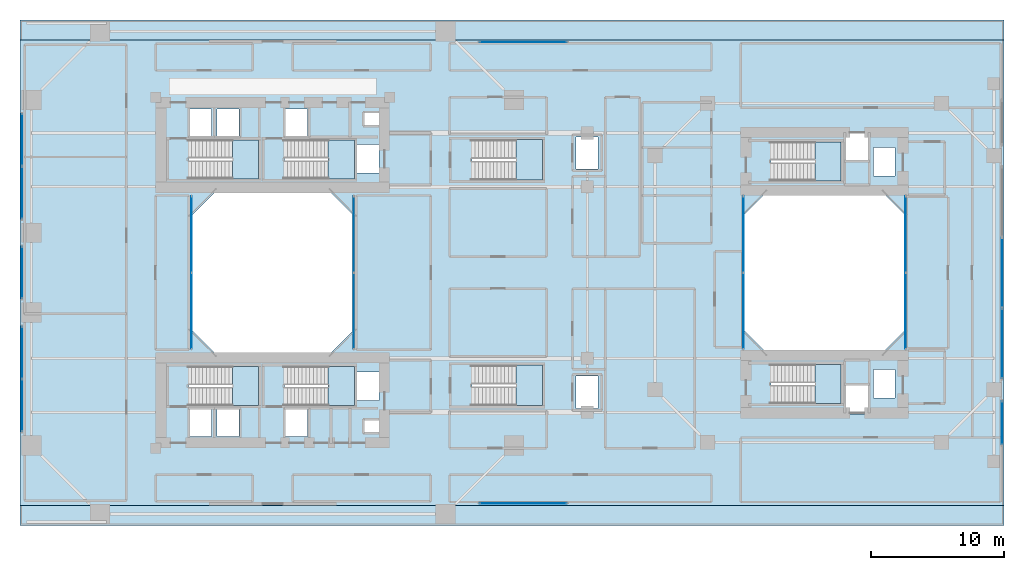
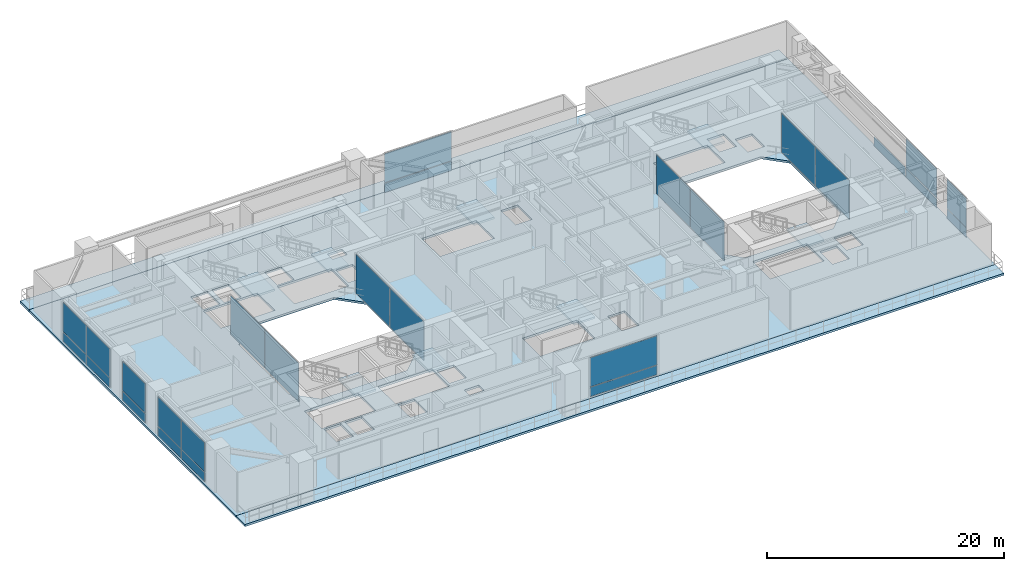
# One storey, part 10 of 20: 27 plates, 11 slabs, 19 elements without a shape of their own.
"""IFC4 building model written with IfcOpenShell, lengths in metres."""

import ifcopenshell
import ifcopenshell.guid

model = None  # the IFC model being written
_history = None  # IfcOwnerHistory: only IFC2X3 demands one
_inside = {}  # id of a spatial element -> (the spatial element, [elements in it])
_under = {}  # id of a project, library or spatial element -> (it, [spatial elements below it])
_declared = {}  # id of a project -> (the project, [libraries it declares])
_typed = {}  # id of a type object -> (the type object, [elements of that type])
_made_of = {}  # id of a material, layer set ... -> (it, [elements and type objects made of it])


def new_model(schema):
    """Start an empty IFC model of exactly this schema.

    Asked for "IFC4X3", IfcOpenShell would pick the latest addendum, in which some entities
    have other attributes; the version numbers below select the first issue.
    IFC2X3 requires an IfcOwnerHistory on every rooted entity: one is made here for all.
    """
    global model, _history
    if schema == "IFC4X3":
        model = ifcopenshell.file(schema_version=(4, 3, 0, 0))
    else:
        model = ifcopenshell.file(schema=schema)
    _inside.clear()
    _under.clear()
    _declared.clear()
    _typed.clear()
    _made_of.clear()
    _history = None
    if model.schema == "IFC2X3":
        org = make("IfcOrganization", Name="unknown")
        user = make(
            "IfcPersonAndOrganization",
            ThePerson=make("IfcPerson", FamilyName="unknown"),
            TheOrganization=org,
        )
        app = make(
            "IfcApplication",
            ApplicationDeveloper=org,
            Version="unknown",
            ApplicationFullName="unknown",
            ApplicationIdentifier="unknown",
        )
        _history = make(
            "IfcOwnerHistory",
            OwningUser=user,
            OwningApplication=app,
            ChangeAction="ADDED",
            CreationDate=0,
        )
    return model


def make(cls, **values):
    """One entity of the class cls with the attributes given. An attribute that is None is left unset."""
    return model.create_entity(
        cls, **{name: value for name, value in values.items() if value is not None}
    )


def rooted(cls, **values):
    """An entity with a GlobalId (a new one), such as an element, a storey or a relation."""
    return make(cls, GlobalId=ifcopenshell.guid.new(), OwnerHistory=_history, **values)


def si_unit(unit_type, name, prefix=None):
    """IfcSIUnit, for example si_unit("LENGTHUNIT", "METRE", prefix="MILLI")."""
    return make("IfcSIUnit", UnitType=unit_type, Prefix=prefix, Name=name)


def assignment(units):
    """IfcUnitAssignment: the units of a project."""
    return None if units is None else make("IfcUnitAssignment", Units=units)


def point(xyz):
    """IfcCartesianPoint."""
    return None if xyz is None else make("IfcCartesianPoint", Coordinates=xyz)


def direction(xyz):
    """IfcDirection."""
    return None if xyz is None else make("IfcDirection", DirectionRatios=xyz)


def frame(location, z_axis=None, x_axis=None):
    """IfcAxis2Placement3D, a coordinate frame: its origin and axes. An axis left out is left unset."""
    return make(
        "IfcAxis2Placement3D",
        Location=point(location),
        Axis=direction(z_axis),
        RefDirection=direction(x_axis),
    )


def frame_2d(location, x_axis=None):
    """IfcAxis2Placement2D, a coordinate frame in the plane: its origin and x axis."""
    return make(
        "IfcAxis2Placement2D", Location=point(location), RefDirection=direction(x_axis)
    )


def origin():
    """The frame at (0, 0, 0) with its axes left unset."""
    return frame((0.0, 0.0, 0.0))


def origin_2d():
    """The frame at (0, 0) in the plane with its x axis left unset."""
    return frame_2d((0.0, 0.0))


def place(relative_to, where):
    """IfcLocalPlacement: puts the frame where relative to a parent placement (None: the world)."""
    return make(
        "IfcLocalPlacement", PlacementRelTo=relative_to, RelativePlacement=where
    )


def context(
    kind, dimensions, precision=None, world=None, true_north=None, identifier=None
):
    """IfcGeometricRepresentationContext, for example the 3D "Model" context."""
    return make(
        "IfcGeometricRepresentationContext",
        ContextIdentifier=identifier,
        ContextType=kind,
        CoordinateSpaceDimension=dimensions,
        Precision=precision,
        WorldCoordinateSystem=world,
        TrueNorth=true_north,
    )


def subcontext(parent, identifier, kind, view, scale=None):
    """IfcGeometricRepresentationSubContext, for example "Body" below "Model"."""
    return make(
        "IfcGeometricRepresentationSubContext",
        ContextIdentifier=identifier,
        ContextType=kind,
        ParentContext=parent,
        TargetScale=scale,
        TargetView=view,
    )


def project(units=None, contexts=None):
    """IfcProject with its units and contexts."""
    return rooted(
        "IfcProject",
        Name="project",
        RepresentationContexts=contexts,
        UnitsInContext=assignment(units),
    )


def spatial(cls, under=None, at=None, **own):
    """A site, building, storey or space (cls), placed at a placement, below another one or the project."""
    s = rooted(cls, ObjectPlacement=at, **own)
    if under is not None:
        _under.setdefault(under.id(), (under, []))[1].append(s)
    return s


def polyline(points):
    """IfcPolyline through the points."""
    return make("IfcPolyline", Points=[point(p) for p in points])


def profile(cls, at=None, kind="AREA", **sizes):
    """A parametric profile (cls). Its sizes go by their IFC names, for example OverallWidth=200.0."""
    return make(cls, ProfileType=kind, Position=at, **sizes)


def rectangle(**sizes):
    """IfcRectangleProfileDef."""
    return profile("IfcRectangleProfileDef", **sizes)


def outline(outer, holes=None, kind="AREA"):
    """IfcArbitraryClosedProfileDef: a profile drawn as a closed curve; with holes, ...WithVoids."""
    if holes is None:
        return make("IfcArbitraryClosedProfileDef", ProfileType=kind, OuterCurve=outer)
    return make(
        "IfcArbitraryProfileDefWithVoids",
        ProfileType=kind,
        OuterCurve=outer,
        InnerCurves=holes,
    )


def extrude(swept, where, along, depth):
    """IfcExtrudedAreaSolid: the profile swept, set in the frame where, extruded along a direction by depth."""
    return make(
        "IfcExtrudedAreaSolid",
        SweptArea=swept,
        Position=where,
        ExtrudedDirection=direction(along),
        Depth=depth,
    )


def shape(context_of_items, identifier, shape_type, items):
    """IfcShapeRepresentation: the items that make up one representation, for example the "Body"."""
    return make(
        "IfcShapeRepresentation",
        ContextOfItems=context_of_items,
        RepresentationIdentifier=identifier,
        RepresentationType=shape_type,
        Items=items,
    )


def source(mapping_origin, context_of_items, identifier, shape_type, items):
    """IfcRepresentationMap: a shape defined once, which mapped items show again and again."""
    return make(
        "IfcRepresentationMap",
        MappingOrigin=mapping_origin,
        MappedRepresentation=shape(context_of_items, identifier, shape_type, items),
    )


def transform(
    local_origin,
    x_axis=None,
    y_axis=None,
    z_axis=None,
    scale=None,
    scale2=None,
    scale3=None,
    uniform=True,
):
    """IfcCartesianTransformationOperator3D, or its non-uniform kind. x_axis, y_axis, z_axis: its Axis1, 2, 3."""
    if uniform:
        return make(
            "IfcCartesianTransformationOperator3D",
            Axis1=direction(x_axis),
            Axis2=direction(y_axis),
            LocalOrigin=point(local_origin),
            Scale=scale,
            Axis3=direction(z_axis),
        )
    return make(
        "IfcCartesianTransformationOperator3DnonUniform",
        Axis1=direction(x_axis),
        Axis2=direction(y_axis),
        LocalOrigin=point(local_origin),
        Scale=scale,
        Axis3=direction(z_axis),
        Scale2=scale2,
        Scale3=scale3,
    )


def mapped(mapping_source, mapping_target):
    """IfcMappedItem: shows the shape of a source again, moved by a transform."""
    return make(
        "IfcMappedItem", MappingSource=mapping_source, MappingTarget=mapping_target
    )


def material(Name=None, Category=None):
    """IfcMaterial."""
    return make("IfcMaterial", Name=Name, Category=Category)


def layer(
    of_material, thickness, ventilated=None, Name=None, Category=None, Priority=None
):
    """IfcMaterialLayer: one layer of a wall or slab, of a material (None: an air gap)."""
    return make(
        "IfcMaterialLayer",
        Material=of_material,
        LayerThickness=thickness,
        IsVentilated=ventilated,
        Name=Name,
        Category=Category,
        Priority=Priority,
    )


def layer_set(layers, Name=None):
    """IfcMaterialLayerSet."""
    return make("IfcMaterialLayerSet", MaterialLayers=layers, LayerSetName=Name)


def made_of(thing, what):
    """Note that an element or type object is made of a material, layer set ...; save() writes the relation."""
    if what is not None:
        _made_of.setdefault(what.id(), (what, []))[1].append(thing)
    return thing


def type_object(cls, material=None, **own):
    """A type object (cls), such as IfcWallType, which elements share."""
    return made_of(rooted(cls, **own), material)


def element(
    cls,
    number,
    at=None,
    inside=None,
    cuts=None,
    type_object=None,
    material=None,
    context=None,
    identifier="Body",
    shape_type=None,
    held_by="IfcProductDefinitionShape",
    body=None,
    shapes=None,
    **own,
):
    """One element of the class cls, such as IfcWall. Its Tag is "e" and its number.

    at: its placement. inside: the storey or other place that contains it. cuts: it is an
    opening in that element (IfcRelVoidsElement). A single representation is given by context,
    identifier, shape_type and body (its items); several are given by shapes. held_by: the class
    of the entity that holds the representations. save() writes the other relations.
    """
    e = rooted(cls, Tag="e%d" % number, ObjectPlacement=at, **own)
    if body is not None:
        shapes = [shape(context, identifier, shape_type, body)]
    if shapes is not None:
        e.Representation = make(held_by, Representations=shapes)
    if inside is not None:
        _inside.setdefault(inside.id(), (inside, []))[1].append(e)
    if cuts is not None:
        rooted(
            "IfcRelVoidsElement", RelatingBuildingElement=cuts, RelatedOpeningElement=e
        )
    if type_object is not None:
        _typed.setdefault(type_object.id(), (type_object, []))[1].append(e)
    return made_of(e, material)


def aggregate(whole, parts):
    """IfcRelAggregates: a whole, such as a stair, and the parts it consists of."""
    return rooted("IfcRelAggregates", RelatingObject=whole, RelatedObjects=parts)


def save(model, path):
    """Write the relations noted so far, then the file.

    IfcRelAggregates (storeys below a building ...), IfcRelContainedInSpatialStructure (elements
    in a storey), IfcRelDefinesByType, IfcRelAssociatesMaterial and IfcRelDeclares: one each for
    every whole, place, type object, material and project.
    """
    for whole, parts in _under.values():
        aggregate(whole, parts)
    for where, things in _inside.values():
        rooted(
            "IfcRelContainedInSpatialStructure",
            RelatedElements=things,
            RelatingStructure=where,
        )
    for kind, things in _typed.values():
        rooted("IfcRelDefinesByType", RelatedObjects=things, RelatingType=kind)
    for what, things in _made_of.values():
        rooted("IfcRelAssociatesMaterial", RelatedObjects=things, RelatingMaterial=what)
    for by, libraries in _declared.values():
        rooted("IfcRelDeclares", RelatingContext=by, RelatedDefinitions=libraries)
    model.write(path)


model = new_model("IFC4")

# Units and contexts
model_context = context("Model", 3, precision=1e-05, world=origin(), true_north=direction((0.0, 1.0)))
body_context = subcontext(model_context, "Body", "Model", "MODEL_VIEW")
ifc_project = project(units=[si_unit("LENGTHUNIT", "METRE"), si_unit("AREAUNIT", "SQUARE_METRE"), si_unit("VOLUMEUNIT", "CUBIC_METRE"), si_unit("PLANEANGLEUNIT", "RADIAN"), si_unit("MASSUNIT", "GRAM", prefix="KILO"), si_unit("THERMODYNAMICTEMPERATUREUNIT", "KELVIN"), si_unit("POWERUNIT", "WATT")], contexts=[model_context])

# Site, building, storey
site_placement = place(None, origin())
site = spatial("IfcSite", under=ifc_project, at=site_placement, CompositionType="ELEMENT")
building_placement = place(site_placement, origin())
building = spatial("IfcBuilding", under=site, at=building_placement, Name="Qiaomeng Ring Towers", CompositionType="ELEMENT")
storey_placement = place(building_placement, frame((0.0, 0.0, 13.800048828125)))
storey = spatial("IfcBuildingStorey", under=building, at=storey_placement, Name="L03", CompositionType="ELEMENT", Elevation=13.800048828125)

# Slab
ifc_material_1 = material(Name="Concrete C40", Category="concrete")
ifc_layer_1 = layer(ifc_material_1, 0.219970703125, Name="Concrete C40")
ifc_layer_set_1 = layer_set([ifc_layer_1], Name="Concrete C40")
slab_type_1 = type_object("IfcSlabType", Name="STR-SL-220", PredefinedType="FLOOR", material=ifc_layer_set_1)
slab_1_placement = place(storey_placement, frame((0.0, 0.0, -0.219970703125)))
element("IfcSlab", 1, at=slab_1_placement, inside=storey, type_object=slab_type_1, Name="L03 Structural Floor Slab", PredefinedType="FLOOR", context=body_context, shape_type="SweptSolid", body=[
    extrude(outline(polyline([(0.0, 5.5), (74.0, 5.5), (74.0, 40.5), (0.0, 40.5), (0.0, 5.5)]), holes=[polyline([(12.780029296875, 12.820068359375), (14.419921875, 12.820068359375), (14.419921875, 10.679931640625), (12.780029296875, 10.679931640625), (12.780029296875, 12.820068359375)]), polyline([(16.469970703125, 12.820068359375), (16.469970703125, 10.679931640625), (14.830078125, 10.679931640625), (14.830078125, 12.820068359375), (16.469970703125, 12.820068359375)]), polyline([(21.6201171875, 12.820068359375), (21.6201171875, 10.679931640625), (19.97998046875, 10.679931640625), (19.97998046875, 12.820068359375), (21.6201171875, 12.820068359375)]), polyline([(27.0, 15.52001953125), (27.0, 13.3798828125), (25.360107421875, 13.3798828125), (25.360107421875, 15.52001953125), (27.0, 15.52001953125)]), polyline([(17.949951171875, 15.949951171875), (17.949951171875, 13.010009765625), (12.679931640625, 13.010009765625), (12.679931640625, 15.949951171875), (17.949951171875, 15.949951171875)]), polyline([(25.14990234375, 15.949951171875), (25.14990234375, 13.010009765625), (19.8798828125, 13.010009765625), (19.8798828125, 15.949951171875), (25.14990234375, 15.949951171875)]), polyline([(25.199951171875, 18.800048828125), (23.199951171875, 16.800048828125), (14.800048828125, 16.800048828125), (12.800048828125, 18.800048828125), (12.800048828125, 27.199951171875), (14.800048828125, 29.199951171875), (23.199951171875, 29.199951171875), (25.199951171875, 27.199951171875), (25.199951171875, 18.800048828125)]), polyline([(12.679931640625, 32.989990234375), (17.949951171875, 32.989990234375), (17.949951171875, 30.050048828125), (12.679931640625, 30.050048828125), (12.679931640625, 32.989990234375)]), polyline([(25.14990234375, 32.989990234375), (25.14990234375, 30.050048828125), (19.8798828125, 30.050048828125), (19.8798828125, 32.989990234375), (25.14990234375, 32.989990234375)]), polyline([(27.0, 32.6201171875), (27.0, 30.47998046875), (25.360107421875, 30.47998046875), (25.360107421875, 32.6201171875), (27.0, 32.6201171875)]), polyline([(14.419921875, 35.320068359375), (14.419921875, 33.179931640625), (12.780029296875, 33.179931640625), (12.780029296875, 35.320068359375), (14.419921875, 35.320068359375)]), polyline([(16.469970703125, 35.320068359375), (16.469970703125, 33.179931640625), (14.830078125, 33.179931640625), (14.830078125, 35.320068359375), (16.469970703125, 35.320068359375)]), polyline([(21.6201171875, 35.320068359375), (21.6201171875, 33.179931640625), (19.97998046875, 33.179931640625), (19.97998046875, 35.320068359375), (21.6201171875, 35.320068359375)]), polyline([(27.360107421875, 35.0), (27.360107421875, 34.10009765625), (25.919921875, 34.10009765625), (25.919921875, 35.0), (27.360107421875, 35.0)]), polyline([(25.919921875, 11.89990234375), (27.360107421875, 11.89990234375), (27.360107421875, 11.0), (25.919921875, 11.0), (25.919921875, 11.89990234375)]), polyline([(63.77001953125, 14.52001953125), (63.77001953125, 12.3798828125), (62.1298828125, 12.3798828125), (62.1298828125, 14.52001953125), (63.77001953125, 14.52001953125)]), polyline([(43.469970703125, 15.219970703125), (43.469970703125, 12.780029296875), (41.830078125, 12.780029296875), (41.830078125, 15.219970703125), (43.469970703125, 15.219970703125)]), polyline([(39.300048828125, 16.0400390625), (39.300048828125, 13.0), (33.989990234375, 13.0), (33.989990234375, 16.0400390625), (39.300048828125, 16.0400390625)]), polyline([(61.75, 16.10009765625), (61.75, 13.159912109375), (56.47998046875, 13.159912109375), (56.47998046875, 16.10009765625), (61.75, 16.10009765625)]), polyline([(65.820068359375, 15.719970703125), (65.820068359375, 13.580078125), (64.179931640625, 13.580078125), (64.179931640625, 15.719970703125), (65.820068359375, 15.719970703125)]), polyline([(66.60009765625, 27.300048828125), (66.60009765625, 18.699951171875), (64.800048828125, 16.89990234375), (56.199951171875, 16.89990234375), (54.39990234375, 18.699951171875), (54.39990234375, 27.300048828125), (56.199951171875, 29.10009765625), (64.800048828125, 29.10009765625), (66.60009765625, 27.300048828125)]), polyline([(65.820068359375, 32.419921875), (65.820068359375, 30.280029296875), (64.179931640625, 30.280029296875), (64.179931640625, 32.419921875), (65.820068359375, 32.419921875)]), polyline([(61.75, 32.840087890625), (61.75, 29.89990234375), (56.47998046875, 29.89990234375), (56.47998046875, 32.840087890625), (61.75, 32.840087890625)]), polyline([(39.300048828125, 33.0), (39.300048828125, 29.9599609375), (33.989990234375, 29.9599609375), (33.989990234375, 33.0), (39.300048828125, 33.0)]), polyline([(43.469970703125, 33.219970703125), (43.469970703125, 30.780029296875), (41.830078125, 30.780029296875), (41.830078125, 33.219970703125), (43.469970703125, 33.219970703125)]), polyline([(63.77001953125, 33.6201171875), (63.77001953125, 31.47998046875), (62.1298828125, 31.47998046875), (62.1298828125, 33.6201171875), (63.77001953125, 33.6201171875)])]), origin(), (0.0, 0.0, 1.0), 0.219970703125),
])

# Stair, slab
ifc_material_2 = material(Name="Precast concrete C40", Category="concrete")
stair_type_1 = type_object("IfcStairType", Name="ARC-ST-440", PredefinedType="HALF_TURN_STAIR", material=ifc_material_2)
stair_1_placement = place(storey_placement, origin())
stair_1 = element("IfcStair", 2, at=stair_1_placement, inside=storey, type_object=stair_type_1, Name="L03 Tower 1 North Stair 1", PredefinedType="HALF_TURN_STAIR")
ifc_layer_2 = layer(ifc_material_1, 0.199951171875, Name="Concrete C40")
ifc_layer_set_2 = layer_set([ifc_layer_2], Name="Concrete C40")
slab_type_2 = type_object("IfcSlabType", Name="STR-SL-LANDING", PredefinedType="LANDING", material=ifc_layer_set_2)
slab_2_placement = place(storey_placement, frame((0.0, 0.0, 2.0)))
slab_2 = element("IfcSlab", 3, at=slab_2_placement, type_object=slab_type_2, Name="ST1 landing 1", PredefinedType="LANDING", context=body_context, shape_type="SweptSolid", body=[
    extrude(outline(polyline([(15.97998046875, 30.050048828125), (17.949951171875, 30.050048828125), (17.949951171875, 32.989990234375), (15.97998046875, 32.989990234375), (15.97998046875, 30.050048828125)])), origin(), (0.0, 0.0, 1.0), 0.199951171875),
])
aggregate(stair_1, [slab_2])

stair_2_placement = place(storey_placement, origin())
stair_2 = element("IfcStair", 4, at=stair_2_placement, inside=storey, type_object=stair_type_1, Name="L03 Tower 1 North Stair 2", PredefinedType="HALF_TURN_STAIR")
slab_3_placement = place(storey_placement, frame((0.0, 0.0, 2.0)))
slab_3 = element("IfcSlab", 5, at=slab_3_placement, type_object=slab_type_2, Name="ST2 landing 1", PredefinedType="LANDING", context=body_context, shape_type="SweptSolid", body=[
    extrude(outline(polyline([(23.179931640625, 30.050048828125), (25.14990234375, 30.050048828125), (25.14990234375, 32.989990234375), (23.179931640625, 32.989990234375), (23.179931640625, 30.050048828125)])), origin(), (0.0, 0.0, 1.0), 0.199951171875),
])
aggregate(stair_2, [slab_3])

stair_3_placement = place(storey_placement, origin())
stair_3 = element("IfcStair", 6, at=stair_3_placement, inside=storey, type_object=stair_type_1, Name="L03 Tower 1 South Stair 3", PredefinedType="HALF_TURN_STAIR")
slab_4_placement = place(storey_placement, frame((0.0, 0.0, 2.0)))
slab_4 = element("IfcSlab", 7, at=slab_4_placement, type_object=slab_type_2, Name="ST3 landing 1", PredefinedType="LANDING", context=body_context, shape_type="SweptSolid", body=[
    extrude(outline(polyline([(15.97998046875, 13.010009765625), (17.949951171875, 13.010009765625), (17.949951171875, 15.949951171875), (15.97998046875, 15.949951171875), (15.97998046875, 13.010009765625)])), origin(), (0.0, 0.0, 1.0), 0.199951171875),
])
aggregate(stair_3, [slab_4])

stair_4_placement = place(storey_placement, origin())
stair_4 = element("IfcStair", 8, at=stair_4_placement, inside=storey, type_object=stair_type_1, Name="L03 Tower 1 South Stair 4", PredefinedType="HALF_TURN_STAIR")
slab_5_placement = place(storey_placement, frame((0.0, 0.0, 2.0)))
slab_5 = element("IfcSlab", 9, at=slab_5_placement, type_object=slab_type_2, Name="ST4 landing 1", PredefinedType="LANDING", context=body_context, shape_type="SweptSolid", body=[
    extrude(outline(polyline([(23.179931640625, 13.010009765625), (25.14990234375, 13.010009765625), (25.14990234375, 15.949951171875), (23.179931640625, 15.949951171875), (23.179931640625, 13.010009765625)])), origin(), (0.0, 0.0, 1.0), 0.199951171875),
])
aggregate(stair_4, [slab_5])

stair_5_placement = place(storey_placement, origin())
stair_5 = element("IfcStair", 10, at=stair_5_placement, inside=storey, type_object=stair_type_1, Name="L03 Companion North Stair 5", PredefinedType="HALF_TURN_STAIR")
slab_6_placement = place(storey_placement, frame((0.0, 0.0, 2.0)))
slab_6 = element("IfcSlab", 11, at=slab_6_placement, type_object=slab_type_2, Name="ST5 landing 1", PredefinedType="LANDING", context=body_context, shape_type="SweptSolid", body=[
    extrude(outline(polyline([(59.780029296875, 29.89990234375), (61.75, 29.89990234375), (61.75, 32.840087890625), (59.780029296875, 32.840087890625), (59.780029296875, 29.89990234375)])), origin(), (0.0, 0.0, 1.0), 0.199951171875),
])
aggregate(stair_5, [slab_6])

stair_6_placement = place(storey_placement, origin())
stair_6 = element("IfcStair", 12, at=stair_6_placement, inside=storey, type_object=stair_type_1, Name="L03 Companion South Stair 6", PredefinedType="HALF_TURN_STAIR")
slab_7_placement = place(storey_placement, frame((0.0, 0.0, 2.0)))
slab_7 = element("IfcSlab", 13, at=slab_7_placement, type_object=slab_type_2, Name="ST6 landing 1", PredefinedType="LANDING", context=body_context, shape_type="SweptSolid", body=[
    extrude(outline(polyline([(59.780029296875, 13.159912109375), (61.75, 13.159912109375), (61.75, 16.10009765625), (59.780029296875, 16.10009765625), (59.780029296875, 13.159912109375)])), origin(), (0.0, 0.0, 1.0), 0.199951171875),
])
aggregate(stair_6, [slab_7])

stair_type_2 = type_object("IfcStairType", Name="ARC-ST-POD", PredefinedType="HALF_TURN_STAIR", material=ifc_material_2)
stair_7_placement = place(storey_placement, origin())
stair_7 = element("IfcStair", 14, at=stair_7_placement, inside=storey, type_object=stair_type_2, Name="L03 Podium Clinic North Stair 7", PredefinedType="HALF_TURN_STAIR")
slab_8_placement = place(storey_placement, frame((0.0, 0.0, 2.0)))
slab_8 = element("IfcSlab", 15, at=slab_8_placement, type_object=slab_type_2, Name="ST7 landing 1", PredefinedType="LANDING", context=body_context, shape_type="SweptSolid", body=[
    extrude(outline(polyline([(37.2900390625, 29.9599609375), (39.300048828125, 29.9599609375), (39.300048828125, 33.0), (37.2900390625, 33.0), (37.2900390625, 29.9599609375)])), origin(), (0.0, 0.0, 1.0), 0.199951171875),
])
aggregate(stair_7, [slab_8])

stair_8_placement = place(storey_placement, origin())
stair_8 = element("IfcStair", 16, at=stair_8_placement, inside=storey, type_object=stair_type_2, Name="L03 Podium Clinic South Stair 8", PredefinedType="HALF_TURN_STAIR")
slab_9_placement = place(storey_placement, frame((0.0, 0.0, 2.0)))
slab_9 = element("IfcSlab", 17, at=slab_9_placement, type_object=slab_type_2, Name="ST8 landing 1", PredefinedType="LANDING", context=body_context, shape_type="SweptSolid", body=[
    extrude(outline(polyline([(37.2900390625, 13.0), (39.300048828125, 13.0), (39.300048828125, 16.0400390625), (37.2900390625, 16.0400390625), (37.2900390625, 13.0)])), origin(), (0.0, 0.0, 1.0), 0.199951171875),
])
aggregate(stair_8, [slab_9])

# Slabs
ifc_layer_3 = layer(ifc_material_1, 0.219970703125, Name="Concrete C40")
ifc_layer_set_3 = layer_set([ifc_layer_3], Name="Concrete C40")
slab_type_3 = type_object("IfcSlabType", Name="STR-SL-TERR220", PredefinedType="FLOOR", material=ifc_layer_set_3)
slab_10_placement = place(storey_placement, frame((0.0, 0.0, -0.219970703125)))
element("IfcSlab", 18, at=slab_10_placement, inside=storey, type_object=slab_type_3, Name="L03 South Planted Podium Roof Terrace Slab", PredefinedType="FLOOR", context=body_context, shape_type="SweptSolid", body=[
    extrude(outline(polyline([(0.0, 4.0), (74.0, 4.0), (74.0, 5.5), (0.0, 5.5), (0.0, 4.0)])), origin(), (0.0, 0.0, 1.0), 0.219970703125),
])
slab_11_placement = place(storey_placement, frame((0.0, 0.0, -0.219970703125)))
element("IfcSlab", 19, at=slab_11_placement, inside=storey, type_object=slab_type_3, Name="L03 North Planted Podium Roof Terrace Slab", PredefinedType="FLOOR", context=body_context, shape_type="SweptSolid", body=[
    extrude(outline(polyline([(0.0, 40.5), (74.0, 40.5), (74.0, 42.0), (0.0, 42.0), (0.0, 40.5)])), origin(), (0.0, 0.0, 1.0), 0.219970703125),
])

# Curtain wall, plates
ifc_material_3 = material(Name="Fluorocarbon dark-grey aluminium", Category="aluminium")
ifc_layer_4 = layer(ifc_material_3, 0.179931640625, Name="Fluorocarbon dark-grey aluminium")
ifc_layer_set_4 = layer_set([ifc_layer_4], Name="Fluorocarbon dark-grey aluminium")
curtain_wall_type_1 = type_object("IfcCurtainWallType", Name="ARC-CW-1", PredefinedType="NOTDEFINED", material=ifc_layer_set_4)
curtain_wall_1_placement = place(storey_placement, origin())
curtain_wall_1 = element("IfcCurtainWall", 20, at=curtain_wall_1_placement, inside=storey, type_object=curtain_wall_type_1, Name="L03 Curtain Wall CW1", PredefinedType="NOTDEFINED")
ifc_material_4 = material(Name="Low-E pale-green laminated safety glass", Category="glass")
ifc_layer_5 = layer(ifc_material_4, 0.031982421875, Name="Low-E pale-green laminated safety glass")
ifc_layer_set_5 = layer_set([ifc_layer_5], Name="Low-E pale-green laminated safety glass")
plate_type_1 = type_object("IfcPlateType", Name="ARC-CWP-GREEN", PredefinedType="CURTAIN_PANEL", material=ifc_layer_set_5)
shared_shape_1 = source(origin(), body_context, "Body", "SweptSolid", [
    extrude(rectangle(XDim=3.889892578125, YDim=0.031982421875, at=origin_2d()), origin(), (0.0, 0.0, 1.0), 0.945068359375),
])
plate_1_placement = place(storey_placement, frame((0.14990234375, 13.014892578125, 0.06982421875), z_axis=(0.0, 0.0, 1.0), x_axis=(0.0, 1.0, 0.0)))
plate_1 = element("IfcPlate", 21, at=plate_1_placement, type_object=plate_type_1, Name="CW1 panel 1.1", PredefinedType="CURTAIN_PANEL", context=body_context, shape_type="MappedRepresentation", body=[
    mapped(shared_shape_1, transform((0.0, 0.0, 0.0), x_axis=(1.0, 0.0, 0.0), y_axis=(0.0, 1.0, 0.0), z_axis=(0.0, 0.0, 1.0), scale=1.0)),
])
plate_2_placement = place(storey_placement, frame((0.14990234375, 16.985107421875, 0.06982421875), z_axis=(0.0, 0.0, 1.0), x_axis=(0.0, 1.0, 0.0)))
plate_2 = element("IfcPlate", 22, at=plate_2_placement, type_object=plate_type_1, Name="CW1 panel 2.1", PredefinedType="CURTAIN_PANEL", context=body_context, shape_type="MappedRepresentation", body=[
    mapped(shared_shape_1, transform((0.0, 0.0, 0.0), x_axis=(1.0, 0.0, 0.0), y_axis=(0.0, 1.0, 0.0), z_axis=(0.0, 0.0, 1.0), scale=1.0)),
])

curtain_wall_2_placement = place(storey_placement, origin())
curtain_wall_2 = element("IfcCurtainWall", 23, at=curtain_wall_2_placement, inside=storey, type_object=curtain_wall_type_1, Name="L03 Curtain Wall CW1", PredefinedType="NOTDEFINED")
plate_3_placement = place(storey_placement, frame((0.14990234375, 29.014892578125, 0.06982421875), z_axis=(0.0, 0.0, 1.0), x_axis=(0.0, 1.0, 0.0)))
plate_3 = element("IfcPlate", 24, at=plate_3_placement, type_object=plate_type_1, Name="CW1 panel 1.1", PredefinedType="CURTAIN_PANEL", context=body_context, shape_type="MappedRepresentation", body=[
    mapped(shared_shape_1, transform((0.0, 0.0, 0.0), x_axis=(1.0, 0.0, 0.0), y_axis=(0.0, 1.0, 0.0), z_axis=(0.0, 0.0, 1.0), scale=1.0)),
])
plate_4_placement = place(storey_placement, frame((0.14990234375, 32.985107421875, 0.06982421875), z_axis=(0.0, 0.0, 1.0), x_axis=(0.0, 1.0, 0.0)))
plate_4 = element("IfcPlate", 25, at=plate_4_placement, type_object=plate_type_1, Name="CW1 panel 2.1", PredefinedType="CURTAIN_PANEL", context=body_context, shape_type="MappedRepresentation", body=[
    mapped(shared_shape_1, transform((0.0, 0.0, 0.0), x_axis=(1.0, 0.0, 0.0), y_axis=(0.0, 1.0, 0.0), z_axis=(0.0, 0.0, 1.0), scale=1.0)),
])

# Curtain wall, plate
curtain_wall_3_placement = place(storey_placement, origin())
curtain_wall_3 = element("IfcCurtainWall", 26, at=curtain_wall_3_placement, inside=storey, type_object=curtain_wall_type_1, Name="L03 Curtain Wall CW1", PredefinedType="NOTDEFINED")
shared_shape_2 = source(origin(), body_context, "Body", "SweptSolid", [
    extrude(rectangle(XDim=3.860107421875, YDim=0.031982421875, at=origin_2d()), origin(), (0.0, 0.0, 1.0), 0.945068359375),
])
plate_5_placement = place(storey_placement, frame((0.14990234375, 23.0, 0.06982421875), z_axis=(0.0, 0.0, 1.0), x_axis=(0.0, 1.0, 0.0)))
plate_5 = element("IfcPlate", 27, at=plate_5_placement, type_object=plate_type_1, Name="CW1 panel 1.1", PredefinedType="CURTAIN_PANEL", context=body_context, shape_type="MappedRepresentation", body=[
    mapped(shared_shape_2, transform((0.0, 0.0, 0.0), x_axis=(1.0, 0.0, 0.0), y_axis=(0.0, 1.0, 0.0), z_axis=(0.0, 0.0, 1.0), scale=1.0)),
])

# Curtain wall, plates
curtain_wall_4_placement = place(storey_placement, origin())
curtain_wall_4 = element("IfcCurtainWall", 28, at=curtain_wall_4_placement, inside=storey, type_object=curtain_wall_type_1, Name="L03 Curtain Wall CW1", PredefinedType="NOTDEFINED")
shared_shape_3 = source(origin(), body_context, "Body", "SweptSolid", [
    extrude(rectangle(XDim=5.219970703125, YDim=0.031982421875, at=origin_2d()), origin(), (0.0, 0.0, 1.0), 0.945068359375),
])
plate_6_placement = place(storey_placement, frame((73.85009765625, 17.679931640625, 0.06982421875), z_axis=(0.0, 0.0, 1.0), x_axis=(0.0, 1.0, 0.0)))
plate_6 = element("IfcPlate", 29, at=plate_6_placement, type_object=plate_type_1, Name="CW1 panel 1.1", PredefinedType="CURTAIN_PANEL", context=body_context, shape_type="MappedRepresentation", body=[
    mapped(shared_shape_3, transform((0.0, 0.0, 0.0), x_axis=(1.0, 0.0, 0.0), y_axis=(0.0, 1.0, 0.0), z_axis=(0.0, 0.0, 1.0), scale=1.0)),
])
shared_shape_4 = source(origin(), body_context, "Body", "SweptSolid", [
    extrude(rectangle(XDim=5.260009765625, YDim=0.031982421875, at=origin_2d()), origin(), (0.0, 0.0, 1.0), 0.945068359375),
])
plate_7_placement = place(storey_placement, frame((73.85009765625, 23.0, 0.06982421875), z_axis=(0.0, 0.0, 1.0), x_axis=(0.0, 1.0, 0.0)))
plate_7 = element("IfcPlate", 30, at=plate_7_placement, type_object=plate_type_1, Name="CW1 panel 2.1", PredefinedType="CURTAIN_PANEL", context=body_context, shape_type="MappedRepresentation", body=[
    mapped(shared_shape_4, transform((0.0, 0.0, 0.0), x_axis=(1.0, 0.0, 0.0), y_axis=(0.0, 1.0, 0.0), z_axis=(0.0, 0.0, 1.0), scale=1.0)),
])

# Curtain wall, plate
curtain_wall_5_placement = place(storey_placement, origin())
curtain_wall_5 = element("IfcCurtainWall", 31, at=curtain_wall_5_placement, inside=storey, type_object=curtain_wall_type_1, Name="L03 Curtain Wall CW1", PredefinedType="NOTDEFINED")
shared_shape_5 = source(origin(), body_context, "Body", "SweptSolid", [
    extrude(rectangle(XDim=3.25, YDim=0.031982421875, at=origin_2d()), origin(), (0.0, 0.0, 1.0), 0.945068359375),
])
plate_8_placement = place(storey_placement, frame((73.85009765625, 11.705078125, 0.06982421875), z_axis=(0.0, 0.0, 1.0), x_axis=(0.0, 1.0, 0.0)))
plate_8 = element("IfcPlate", 32, at=plate_8_placement, type_object=plate_type_1, Name="CW1 panel 1.1", PredefinedType="CURTAIN_PANEL", context=body_context, shape_type="MappedRepresentation", body=[
    mapped(shared_shape_5, transform((0.0, 0.0, 0.0), x_axis=(1.0, 0.0, 0.0), y_axis=(0.0, 1.0, 0.0), z_axis=(0.0, 0.0, 1.0), scale=1.0)),
])

curtain_wall_6_placement = place(storey_placement, origin())
curtain_wall_6 = element("IfcCurtainWall", 33, at=curtain_wall_6_placement, inside=storey, type_object=curtain_wall_type_1, Name="L03 Curtain Wall CW1", PredefinedType="NOTDEFINED")
shared_shape_6 = source(origin(), body_context, "Body", "SweptSolid", [
    extrude(rectangle(XDim=6.5400390625, YDim=0.031982421875, at=origin_2d()), origin(), (0.0, 0.0, 1.0), 0.945068359375),
])
plate_9_placement = place(storey_placement, frame((37.85009765625, 5.64990234375, 0.06982421875), z_axis=(0.0, 0.0, 1.0), x_axis=(1.0, 0.0, 0.0)))
plate_9 = element("IfcPlate", 34, at=plate_9_placement, type_object=plate_type_1, Name="CW1 panel 1.1", PredefinedType="CURTAIN_PANEL", context=body_context, shape_type="MappedRepresentation", body=[
    mapped(shared_shape_6, transform((0.0, 0.0, 0.0), x_axis=(1.0, 0.0, 0.0), y_axis=(0.0, 1.0, 0.0), z_axis=(0.0, 0.0, 1.0), scale=1.0)),
])

curtain_wall_7_placement = place(storey_placement, origin())
curtain_wall_7 = element("IfcCurtainWall", 35, at=curtain_wall_7_placement, inside=storey, type_object=curtain_wall_type_1, Name="L03 Curtain Wall CW1", PredefinedType="NOTDEFINED")
plate_10_placement = place(storey_placement, frame((37.85009765625, 40.35009765625, 0.06982421875), z_axis=(0.0, 0.0, 1.0), x_axis=(1.0, 0.0, 0.0)))
plate_10 = element("IfcPlate", 36, at=plate_10_placement, type_object=plate_type_1, Name="CW1 panel 1.1", PredefinedType="CURTAIN_PANEL", context=body_context, shape_type="MappedRepresentation", body=[
    mapped(shared_shape_6, transform((0.0, 0.0, 0.0), x_axis=(1.0, 0.0, 0.0), y_axis=(0.0, 1.0, 0.0), z_axis=(0.0, 0.0, 1.0), scale=1.0)),
])

# Plate
shared_shape_7 = source(origin(), body_context, "Body", "SweptSolid", [
    extrude(rectangle(XDim=3.889892578125, YDim=0.031982421875, at=origin_2d()), origin(), (0.0, 0.0, 1.0), 2.9951171875),
])
plate_11_placement = place(storey_placement, frame((0.14990234375, 13.014892578125, 1.0849609375), z_axis=(0.0, 0.0, 1.0), x_axis=(0.0, 1.0, 0.0)))
plate_11 = element("IfcPlate", 37, at=plate_11_placement, type_object=plate_type_1, Name="CW1 panel 1.2", PredefinedType="CURTAIN_PANEL", context=body_context, shape_type="MappedRepresentation", body=[
    mapped(shared_shape_7, transform((0.0, 0.0, 0.0), x_axis=(1.0, 0.0, 0.0), y_axis=(0.0, 1.0, 0.0), z_axis=(0.0, 0.0, 1.0), scale=1.0)),
])

plate_12_placement = place(storey_placement, frame((0.14990234375, 16.985107421875, 1.0849609375), z_axis=(0.0, 0.0, 1.0), x_axis=(0.0, 1.0, 0.0)))
plate_12 = element("IfcPlate", 38, at=plate_12_placement, type_object=plate_type_1, Name="CW1 panel 2.2", PredefinedType="CURTAIN_PANEL", context=body_context, shape_type="MappedRepresentation", body=[
    mapped(shared_shape_7, transform((0.0, 0.0, 0.0), x_axis=(1.0, 0.0, 0.0), y_axis=(0.0, 1.0, 0.0), z_axis=(0.0, 0.0, 1.0), scale=1.0)),
])

aggregate(curtain_wall_1, [plate_1, plate_11, plate_2, plate_12])

plate_13_placement = place(storey_placement, frame((0.14990234375, 29.014892578125, 1.0849609375), z_axis=(0.0, 0.0, 1.0), x_axis=(0.0, 1.0, 0.0)))
plate_13 = element("IfcPlate", 39, at=plate_13_placement, type_object=plate_type_1, Name="CW1 panel 1.2", PredefinedType="CURTAIN_PANEL", context=body_context, shape_type="MappedRepresentation", body=[
    mapped(shared_shape_7, transform((0.0, 0.0, 0.0), x_axis=(1.0, 0.0, 0.0), y_axis=(0.0, 1.0, 0.0), z_axis=(0.0, 0.0, 1.0), scale=1.0)),
])

plate_14_placement = place(storey_placement, frame((0.14990234375, 32.985107421875, 1.0849609375), z_axis=(0.0, 0.0, 1.0), x_axis=(0.0, 1.0, 0.0)))
plate_14 = element("IfcPlate", 40, at=plate_14_placement, type_object=plate_type_1, Name="CW1 panel 2.2", PredefinedType="CURTAIN_PANEL", context=body_context, shape_type="MappedRepresentation", body=[
    mapped(shared_shape_7, transform((0.0, 0.0, 0.0), x_axis=(1.0, 0.0, 0.0), y_axis=(0.0, 1.0, 0.0), z_axis=(0.0, 0.0, 1.0), scale=1.0)),
])

aggregate(curtain_wall_2, [plate_3, plate_13, plate_4, plate_14])

shared_shape_8 = source(origin(), body_context, "Body", "SweptSolid", [
    extrude(rectangle(XDim=3.860107421875, YDim=0.031982421875, at=origin_2d()), origin(), (0.0, 0.0, 1.0), 2.9951171875),
])
plate_15_placement = place(storey_placement, frame((0.14990234375, 23.0, 1.0849609375), z_axis=(0.0, 0.0, 1.0), x_axis=(0.0, 1.0, 0.0)))
plate_15 = element("IfcPlate", 41, at=plate_15_placement, type_object=plate_type_1, Name="CW1 panel 1.2", PredefinedType="CURTAIN_PANEL", context=body_context, shape_type="MappedRepresentation", body=[
    mapped(shared_shape_8, transform((0.0, 0.0, 0.0), x_axis=(1.0, 0.0, 0.0), y_axis=(0.0, 1.0, 0.0), z_axis=(0.0, 0.0, 1.0), scale=1.0)),
])

aggregate(curtain_wall_3, [plate_5, plate_15])

shared_shape_9 = source(origin(), body_context, "Body", "SweptSolid", [
    extrude(rectangle(XDim=3.25, YDim=0.031982421875, at=origin_2d()), origin(), (0.0, 0.0, 1.0), 2.9951171875),
])
plate_16_placement = place(storey_placement, frame((73.85009765625, 11.705078125, 1.0849609375), z_axis=(0.0, 0.0, 1.0), x_axis=(0.0, 1.0, 0.0)))
plate_16 = element("IfcPlate", 42, at=plate_16_placement, type_object=plate_type_1, Name="CW1 panel 1.2", PredefinedType="CURTAIN_PANEL", context=body_context, shape_type="MappedRepresentation", body=[
    mapped(shared_shape_9, transform((0.0, 0.0, 0.0), x_axis=(1.0, 0.0, 0.0), y_axis=(0.0, 1.0, 0.0), z_axis=(0.0, 0.0, 1.0), scale=1.0)),
])

aggregate(curtain_wall_5, [plate_8, plate_16])

shared_shape_10 = source(origin(), body_context, "Body", "SweptSolid", [
    extrude(rectangle(XDim=5.219970703125, YDim=0.031982421875, at=origin_2d()), origin(), (0.0, 0.0, 1.0), 2.9951171875),
])
plate_17_placement = place(storey_placement, frame((73.85009765625, 17.679931640625, 1.0849609375), z_axis=(0.0, 0.0, 1.0), x_axis=(0.0, 1.0, 0.0)))
plate_17 = element("IfcPlate", 43, at=plate_17_placement, type_object=plate_type_1, Name="CW1 panel 1.2", PredefinedType="CURTAIN_PANEL", context=body_context, shape_type="MappedRepresentation", body=[
    mapped(shared_shape_10, transform((0.0, 0.0, 0.0), x_axis=(1.0, 0.0, 0.0), y_axis=(0.0, 1.0, 0.0), z_axis=(0.0, 0.0, 1.0), scale=1.0)),
])

aggregate(curtain_wall_4, [plate_6, plate_17, plate_7])

shared_shape_11 = source(origin(), body_context, "Body", "SweptSolid", [
    extrude(rectangle(XDim=6.5400390625, YDim=0.031982421875, at=origin_2d()), origin(), (0.0, 0.0, 1.0), 2.9951171875),
])
plate_18_placement = place(storey_placement, frame((37.85009765625, 5.64990234375, 1.0849609375), z_axis=(0.0, 0.0, 1.0), x_axis=(1.0, 0.0, 0.0)))
plate_18 = element("IfcPlate", 44, at=plate_18_placement, type_object=plate_type_1, Name="CW1 panel 1.2", PredefinedType="CURTAIN_PANEL", context=body_context, shape_type="MappedRepresentation", body=[
    mapped(shared_shape_11, transform((0.0, 0.0, 0.0), x_axis=(1.0, 0.0, 0.0), y_axis=(0.0, 1.0, 0.0), z_axis=(0.0, 0.0, 1.0), scale=1.0)),
])

aggregate(curtain_wall_6, [plate_9, plate_18])

plate_19_placement = place(storey_placement, frame((37.85009765625, 40.35009765625, 1.0849609375), z_axis=(0.0, 0.0, 1.0), x_axis=(1.0, 0.0, 0.0)))
plate_19 = element("IfcPlate", 45, at=plate_19_placement, type_object=plate_type_1, Name="CW1 panel 1.2", PredefinedType="CURTAIN_PANEL", context=body_context, shape_type="MappedRepresentation", body=[
    mapped(shared_shape_11, transform((0.0, 0.0, 0.0), x_axis=(1.0, 0.0, 0.0), y_axis=(0.0, 1.0, 0.0), z_axis=(0.0, 0.0, 1.0), scale=1.0)),
])

aggregate(curtain_wall_7, [plate_10, plate_19])

# Curtain wall, plates
ifc_layer_6 = layer(ifc_material_3, 0.139892578125, Name="Fluorocarbon dark-grey aluminium")
ifc_layer_set_6 = layer_set([ifc_layer_6], Name="Fluorocarbon dark-grey aluminium")
curtain_wall_type_2 = type_object("IfcCurtainWallType", Name="ARC-CW-4", PredefinedType="NOTDEFINED", material=ifc_layer_set_6)
curtain_wall_8_placement = place(storey_placement, origin())
curtain_wall_8 = element("IfcCurtainWall", 46, at=curtain_wall_8_placement, inside=storey, type_object=curtain_wall_type_2, Name="L03 Curtain Wall CW4", PredefinedType="NOTDEFINED")
ifc_material_5 = material(Name="Low-E dark-grey laminated double glazing", Category="glass")
ifc_layer_7 = layer(ifc_material_5, 0.028076171875, Name="Low-E dark-grey laminated double glazing")
ifc_layer_set_7 = layer_set([ifc_layer_7], Name="Low-E dark-grey laminated double glazing")
plate_type_2 = type_object("IfcPlateType", Name="ARC-CWP-DARK", PredefinedType="CURTAIN_PANEL", material=ifc_layer_set_7)
shared_shape_12 = source(origin(), body_context, "Body", "SweptSolid", [
    extrude(rectangle(XDim=5.702392578125, YDim=0.028076171875, at=origin_2d()), origin(), (0.0, 0.0, 1.0), 4.02001953125),
])
plate_20_placement = place(storey_placement, frame((12.89990234375, 20.1162109375, 0.06494140625), z_axis=(0.0, 0.0, 1.0), x_axis=(0.0, 1.0, 0.0)))
plate_20 = element("IfcPlate", 47, at=plate_20_placement, type_object=plate_type_2, Name="CW4 panel 1.1", PredefinedType="CURTAIN_PANEL", context=body_context, shape_type="MappedRepresentation", body=[
    mapped(shared_shape_12, transform((0.0, 0.0, 0.0), x_axis=(1.0, 0.0, 0.0), y_axis=(0.0, 1.0, 0.0), z_axis=(0.0, 0.0, 1.0), scale=1.0)),
])
plate_21_placement = place(storey_placement, frame((12.89990234375, 25.8837890625, 0.06494140625), z_axis=(0.0, 0.0, 1.0), x_axis=(0.0, 1.0, 0.0)))
plate_21 = element("IfcPlate", 48, at=plate_21_placement, type_object=plate_type_2, Name="CW4 panel 2.1", PredefinedType="CURTAIN_PANEL", context=body_context, shape_type="MappedRepresentation", body=[
    mapped(shared_shape_12, transform((0.0, 0.0, 0.0), x_axis=(1.0, 0.0, 0.0), y_axis=(0.0, 1.0, 0.0), z_axis=(0.0, 0.0, 1.0), scale=1.0)),
])
aggregate(curtain_wall_8, [plate_20, plate_21])

curtain_wall_9_placement = place(storey_placement, origin())
curtain_wall_9 = element("IfcCurtainWall", 49, at=curtain_wall_9_placement, inside=storey, type_object=curtain_wall_type_2, Name="L03 Curtain Wall CW4", PredefinedType="NOTDEFINED")
plate_22_placement = place(storey_placement, frame((25.10009765625, 20.1162109375, 0.06494140625), z_axis=(0.0, 0.0, 1.0), x_axis=(0.0, 1.0, 0.0)))
plate_22 = element("IfcPlate", 50, at=plate_22_placement, type_object=plate_type_2, Name="CW4 panel 1.1", PredefinedType="CURTAIN_PANEL", context=body_context, shape_type="MappedRepresentation", body=[
    mapped(shared_shape_12, transform((0.0, 0.0, 0.0), x_axis=(1.0, 0.0, 0.0), y_axis=(0.0, 1.0, 0.0), z_axis=(0.0, 0.0, 1.0), scale=1.0)),
])
plate_23_placement = place(storey_placement, frame((25.10009765625, 25.8837890625, 0.06494140625), z_axis=(0.0, 0.0, 1.0), x_axis=(0.0, 1.0, 0.0)))
plate_23 = element("IfcPlate", 51, at=plate_23_placement, type_object=plate_type_2, Name="CW4 panel 2.1", PredefinedType="CURTAIN_PANEL", context=body_context, shape_type="MappedRepresentation", body=[
    mapped(shared_shape_12, transform((0.0, 0.0, 0.0), x_axis=(1.0, 0.0, 0.0), y_axis=(0.0, 1.0, 0.0), z_axis=(0.0, 0.0, 1.0), scale=1.0)),
])
aggregate(curtain_wall_9, [plate_22, plate_23])

curtain_wall_10_placement = place(storey_placement, origin())
curtain_wall_10 = element("IfcCurtainWall", 52, at=curtain_wall_10_placement, inside=storey, type_object=curtain_wall_type_2, Name="L03 Curtain Wall CW4", PredefinedType="NOTDEFINED")
plate_24_placement = place(storey_placement, frame((54.39990234375, 20.1162109375, 0.06494140625), z_axis=(0.0, 0.0, 1.0), x_axis=(0.0, 1.0, 0.0)))
plate_24 = element("IfcPlate", 53, at=plate_24_placement, type_object=plate_type_2, Name="CW4 panel 1.1", PredefinedType="CURTAIN_PANEL", context=body_context, shape_type="MappedRepresentation", body=[
    mapped(shared_shape_12, transform((0.0, 0.0, 0.0), x_axis=(1.0, 0.0, 0.0), y_axis=(0.0, 1.0, 0.0), z_axis=(0.0, 0.0, 1.0), scale=1.0)),
])
plate_25_placement = place(storey_placement, frame((54.39990234375, 25.8837890625, 0.06494140625), z_axis=(0.0, 0.0, 1.0), x_axis=(0.0, 1.0, 0.0)))
plate_25 = element("IfcPlate", 54, at=plate_25_placement, type_object=plate_type_2, Name="CW4 panel 2.1", PredefinedType="CURTAIN_PANEL", context=body_context, shape_type="MappedRepresentation", body=[
    mapped(shared_shape_12, transform((0.0, 0.0, 0.0), x_axis=(1.0, 0.0, 0.0), y_axis=(0.0, 1.0, 0.0), z_axis=(0.0, 0.0, 1.0), scale=1.0)),
])
aggregate(curtain_wall_10, [plate_24, plate_25])

curtain_wall_11_placement = place(storey_placement, origin())
curtain_wall_11 = element("IfcCurtainWall", 55, at=curtain_wall_11_placement, inside=storey, type_object=curtain_wall_type_2, Name="L03 Curtain Wall CW4", PredefinedType="NOTDEFINED")
plate_26_placement = place(storey_placement, frame((66.60009765625, 20.1162109375, 0.06494140625), z_axis=(0.0, 0.0, 1.0), x_axis=(0.0, 1.0, 0.0)))
plate_26 = element("IfcPlate", 56, at=plate_26_placement, type_object=plate_type_2, Name="CW4 panel 1.1", PredefinedType="CURTAIN_PANEL", context=body_context, shape_type="MappedRepresentation", body=[
    mapped(shared_shape_12, transform((0.0, 0.0, 0.0), x_axis=(1.0, 0.0, 0.0), y_axis=(0.0, 1.0, 0.0), z_axis=(0.0, 0.0, 1.0), scale=1.0)),
])
plate_27_placement = place(storey_placement, frame((66.60009765625, 25.8837890625, 0.06494140625), z_axis=(0.0, 0.0, 1.0), x_axis=(0.0, 1.0, 0.0)))
plate_27 = element("IfcPlate", 57, at=plate_27_placement, type_object=plate_type_2, Name="CW4 panel 2.1", PredefinedType="CURTAIN_PANEL", context=body_context, shape_type="MappedRepresentation", body=[
    mapped(shared_shape_12, transform((0.0, 0.0, 0.0), x_axis=(1.0, 0.0, 0.0), y_axis=(0.0, 1.0, 0.0), z_axis=(0.0, 0.0, 1.0), scale=1.0)),
])
aggregate(curtain_wall_11, [plate_26, plate_27])

save(model, "model.ifc")
